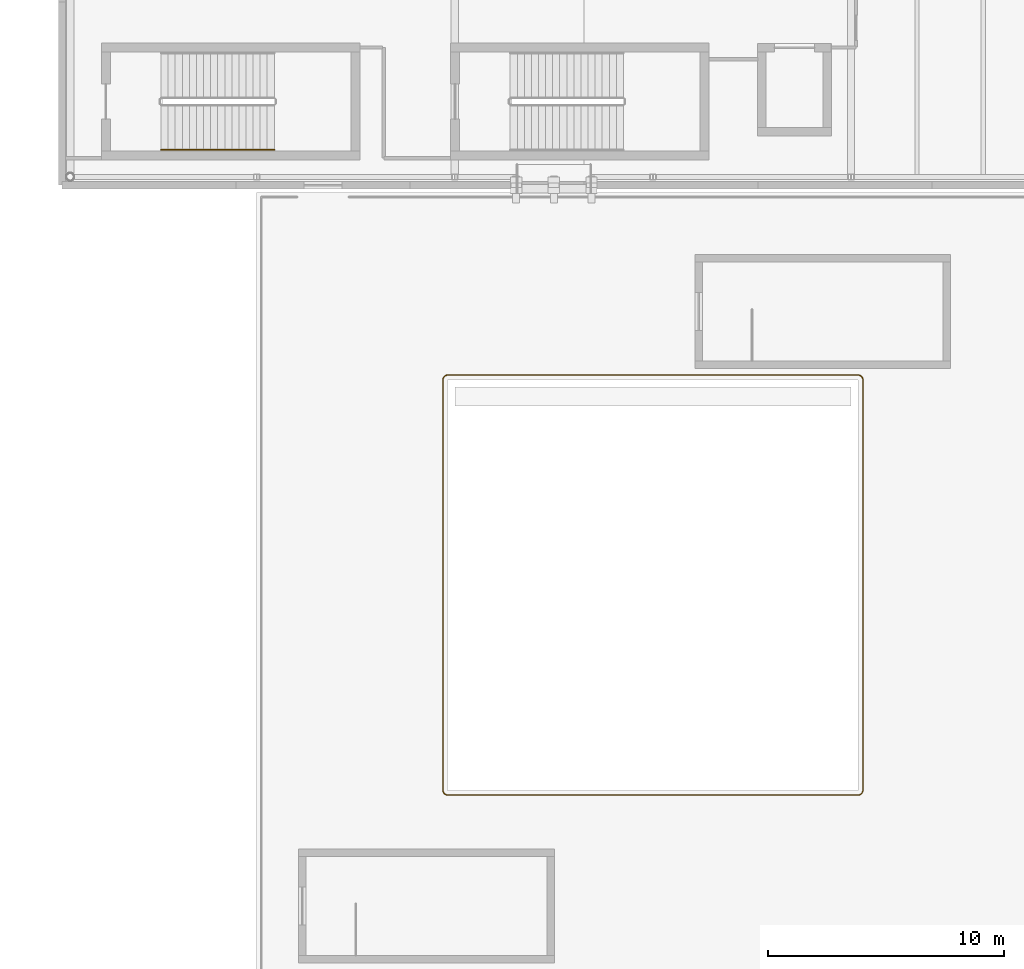
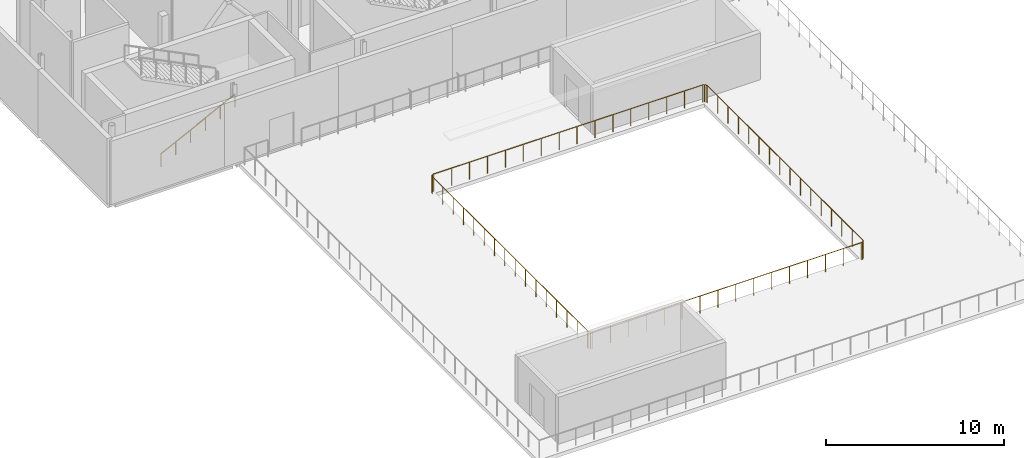
# One storey, part 54 of 57: 2 railings.
"""IFC4 building model written with IfcOpenShell, lengths in metres."""

from ifc_helpers import new_model, si_unit, direction, frame, origin, origin_2d, place, context, subcontext, project, spatial, circle, extrude, material, type_object, element, save


model = new_model("IFC4")

# Units and contexts
model_context = context("Model", 3, precision=1e-05, world=origin(), true_north=direction((0.0, 1.0)))
body_context = subcontext(model_context, "Body", "Model", "MODEL_VIEW")
ifc_project = project(units=[si_unit("LENGTHUNIT", "METRE"), si_unit("AREAUNIT", "SQUARE_METRE"), si_unit("VOLUMEUNIT", "CUBIC_METRE"), si_unit("PLANEANGLEUNIT", "RADIAN"), si_unit("MASSUNIT", "GRAM", prefix="KILO"), si_unit("THERMODYNAMICTEMPERATUREUNIT", "KELVIN")], contexts=[model_context])

# Site, building, storey
site_placement = place(None, origin())
site = spatial("IfcSite", under=ifc_project, at=site_placement, CompositionType="ELEMENT")
building_placement = place(site_placement, origin())
building = spatial("IfcBuilding", under=site, at=building_placement, Name="Lustrewick Department Store", CompositionType="ELEMENT")
storey_placement = place(building_placement, frame((0.0, 0.0, 26.699951171875)))
storey = spatial("IfcBuildingStorey", under=building, at=storey_placement, Name="L06", CompositionType="ELEMENT", Elevation=26.699951171875)

# Railings
ifc_material_1 = material(Name="Laminated glass and anodized aluminium guardrail", Category="aluminium")
railing_type_1 = type_object("IfcRailingType", Name="RL-EXT", PredefinedType="GUARDRAIL", material=ifc_material_1)
railing_1_placement = place(storey_placement, frame((143.300048828125, 42.300048828125, 0.0)))
element("IfcRailing", 1, at=railing_1_placement, inside=storey, type_object=railing_type_1, Name="L06 Terrace Perimeter Guardrail 0011", PredefinedType="GUARDRAIL", context=body_context, shape_type="SweptSolid", body=[
    extrude(circle(Radius=0.02392578125, at=origin_2d()), frame((0.0, 0.0, 1.17578125), z_axis=(-0.049937616944, 0.998752338878, 0.0), x_axis=(-0.998752338878, -0.049937616944, 0.0)), (0.0, 0.0, 1.0), 0.01953125),
    extrude(circle(Radius=0.02392578125, at=origin_2d()), frame((-0.0009765625, 0.01953125, 1.17578125), z_axis=(-0.14834045293, 0.988936352868, 0.0), x_axis=(-0.988936352868, -0.14834045293, 0.0)), (0.0, 0.0, 1.0), 0.019775390625),
    extrude(circle(Radius=0.02392578125, at=origin_2d()), frame((-0.00390625, 0.0390625, 1.17578125), z_axis=(-0.236669416535, 0.971590236302, 0.0), x_axis=(-0.971590236302, -0.236669416535, 0.0)), (0.0, 0.0, 1.0), 0.01953125),
    extrude(circle(Radius=0.02392578125, at=origin_2d()), frame((-0.008544921875, 0.05810546875, 1.17578125), z_axis=(-0.338719468273, 0.940887411869, 0.0), x_axis=(-0.940887411869, -0.338719468273, 0.0)), (0.0, 0.0, 1.0), 0.01953125),
    extrude(circle(Radius=0.02392578125, at=origin_2d()), frame((-0.01513671875, 0.076416015625, 1.17578125), z_axis=(-0.432329455405, 0.901715721272, 0.0), x_axis=(-0.901715721272, -0.432329455405, 0.0)), (0.0, 0.0, 1.0), 0.019775390625),
    extrude(circle(Radius=0.02392578125, at=origin_2d()), frame((-0.023681640625, 0.09423828125, 1.17578125), z_axis=(-0.510826591194, 0.859683775425, 0.0), x_axis=(-0.859683775425, -0.510826591194, 0.0)), (0.0, 0.0, 1.0), 0.01953125),
    extrude(circle(Radius=0.02392578125, at=origin_2d()), frame((-0.03369140625, 0.111083984375, 1.17578125), z_axis=(-0.594043027909, 0.80443326696, 0.0), x_axis=(-0.80443326696, -0.594043027909, 0.0)), (0.0, 0.0, 1.0), 0.019775390625),
    extrude(circle(Radius=0.02392578125, at=origin_2d()), frame((-0.04541015625, 0.126953125, 1.17578125), z_axis=(-0.675158258765, 0.737672912354, 0.0), x_axis=(-0.737672912354, -0.675158258765, 0.0)), (0.0, 0.0, 1.0), 0.01953125),
    extrude(circle(Radius=0.02392578125, at=origin_2d()), frame((-0.05859375, 0.141357421875, 1.17578125), z_axis=(-0.743294146247, 0.668964731622, 0.0), x_axis=(-0.668964731622, -0.743294146247, 0.0)), (0.0, 0.0, 1.0), 0.019775390625),
    extrude(circle(Radius=0.02392578125, at=origin_2d()), frame((-0.0732421875, 0.154541015625, 1.17578125), z_axis=(-0.8, 0.6, 0.0), x_axis=(-0.6, -0.8, 0.0)), (0.0, 0.0, 1.0), 0.01953125),
    extrude(circle(Radius=0.02392578125, at=origin_2d()), frame((-0.0888671875, 0.166259765625, 1.17578125), z_axis=(-0.859683775425, 0.510826591194, 0.0), x_axis=(-0.510826591194, -0.859683775425, 0.0)), (0.0, 0.0, 1.0), 0.01953125),
    extrude(circle(Radius=0.02392578125, at=origin_2d()), frame((-0.105712890625, 0.17626953125, 1.17578125), z_axis=(-0.901715721272, 0.432329455405, 0.0), x_axis=(-0.432329455405, -0.901715721272, 0.0)), (0.0, 0.0, 1.0), 0.019775390625),
    extrude(circle(Radius=0.02392578125, at=origin_2d()), frame((-0.12353515625, 0.184814453125, 1.17578125), z_axis=(-0.940887411869, 0.338719468273, 0.0), x_axis=(-0.338719468273, -0.940887411869, 0.0)), (0.0, 0.0, 1.0), 0.01953125),
    extrude(circle(Radius=0.02392578125, at=origin_2d()), frame((-0.141845703125, 0.19140625, 1.17578125), z_axis=(-0.972275475429, 0.233838405483, 0.0), x_axis=(-0.233838405483, -0.972275475429, 0.0)), (0.0, 0.0, 1.0), 0.019775390625),
    extrude(circle(Radius=0.02392578125, at=origin_2d()), frame((-0.1611328125, 0.196044921875, 1.17578125), z_axis=(-0.988659264731, 0.150176090845, 0.0), x_axis=(-0.150176090845, -0.988659264731, 0.0)), (0.0, 0.0, 1.0), 0.01953125),
    extrude(circle(Radius=0.02392578125, at=origin_2d()), frame((-0.180419921875, 0.198974609375, 1.17578125), z_axis=(-0.998752338878, 0.049937616944, 0.0), x_axis=(-0.049937616944, -0.998752338878, 0.0)), (0.0, 0.0, 1.0), 0.01953125),
    extrude(circle(Radius=0.02392578125, at=origin_2d()), frame((-0.199951171875, 0.199951171875, 1.17578125), z_axis=(-1.0, 0.0, 0.0), x_axis=(0.0, -1.0, 0.0)), (0.0, 0.0, 1.0), 17.400146484375),
    extrude(circle(Radius=0.02392578125, at=origin_2d()), frame((-17.60009765625, 0.199951171875, 1.17578125), z_axis=(-0.998752338878, -0.049937616944, 0.0), x_axis=(0.049937616944, -0.998752338878, 0.0)), (0.0, 0.0, 1.0), 0.01953125),
    extrude(circle(Radius=0.02392578125, at=origin_2d()), frame((-17.61962890625, 0.198974609375, 1.17578125), z_axis=(-0.988936352868, -0.14834045293, 0.0), x_axis=(0.14834045293, -0.988936352868, 0.0)), (0.0, 0.0, 1.0), 0.019775390625),
    extrude(circle(Radius=0.02392578125, at=origin_2d()), frame((-17.63916015625, 0.196044921875, 1.17578125), z_axis=(-0.971590236302, -0.236669416535, 0.0), x_axis=(0.236669416535, -0.971590236302, 0.0)), (0.0, 0.0, 1.0), 0.01953125),
    extrude(circle(Radius=0.02392578125, at=origin_2d()), frame((-17.658203125, 0.19140625, 1.17578125), z_axis=(-0.940887411869, -0.338719468273, 0.0), x_axis=(0.338719468273, -0.940887411869, 0.0)), (0.0, 0.0, 1.0), 0.01953125),
    extrude(circle(Radius=0.02392578125, at=origin_2d()), frame((-17.676513671875, 0.184814453125, 1.17578125), z_axis=(-0.901715721272, -0.432329455405, 0.0), x_axis=(0.432329455405, -0.901715721272, 0.0)), (0.0, 0.0, 1.0), 0.019775390625),
    extrude(circle(Radius=0.02392578125, at=origin_2d()), frame((-17.6943359375, 0.17626953125, 1.17578125), z_axis=(-0.859683775425, -0.510826591194, 0.0), x_axis=(0.510826591194, -0.859683775425, 0.0)), (0.0, 0.0, 1.0), 0.01953125),
    extrude(circle(Radius=0.02392578125, at=origin_2d()), frame((-17.711181640625, 0.166259765625, 1.17578125), z_axis=(-0.80443326696, -0.594043027909, 0.0), x_axis=(0.594043027909, -0.80443326696, 0.0)), (0.0, 0.0, 1.0), 0.019775390625),
    extrude(circle(Radius=0.02392578125, at=origin_2d()), frame((-17.72705078125, 0.154541015625, 1.17578125), z_axis=(-0.737672912354, -0.675158258765, 0.0), x_axis=(0.675158258765, -0.737672912354, 0.0)), (0.0, 0.0, 1.0), 0.01953125),
    extrude(circle(Radius=0.02392578125, at=origin_2d()), frame((-17.741455078125, 0.141357421875, 1.17578125), z_axis=(-0.675158258765, -0.737672912354, 0.0), x_axis=(0.737672912354, -0.675158258765, 0.0)), (0.0, 0.0, 1.0), 0.01953125),
    extrude(circle(Radius=0.02392578125, at=origin_2d()), frame((-17.754638671875, 0.126953125, 1.17578125), z_axis=(-0.594043027909, -0.80443326696, 0.0), x_axis=(0.80443326696, -0.594043027909, 0.0)), (0.0, 0.0, 1.0), 0.019775390625),
    extrude(circle(Radius=0.02392578125, at=origin_2d()), frame((-17.766357421875, 0.111083984375, 1.17578125), z_axis=(-0.510826591194, -0.859683775425, 0.0), x_axis=(0.859683775425, -0.510826591194, 0.0)), (0.0, 0.0, 1.0), 0.01953125),
    extrude(circle(Radius=0.02392578125, at=origin_2d()), frame((-17.7763671875, 0.09423828125, 1.17578125), z_axis=(-0.432329455405, -0.901715721272, 0.0), x_axis=(0.901715721272, -0.432329455405, 0.0)), (0.0, 0.0, 1.0), 0.019775390625),
    extrude(circle(Radius=0.02392578125, at=origin_2d()), frame((-17.784912109375, 0.076416015625, 1.17578125), z_axis=(-0.338719468273, -0.940887411869, 0.0), x_axis=(0.940887411869, -0.338719468273, 0.0)), (0.0, 0.0, 1.0), 0.01953125),
    extrude(circle(Radius=0.02392578125, at=origin_2d()), frame((-17.79150390625, 0.05810546875, 1.17578125), z_axis=(-0.236669416535, -0.971590236302, 0.0), x_axis=(0.971590236302, -0.236669416535, 0.0)), (0.0, 0.0, 1.0), 0.01953125),
    extrude(circle(Radius=0.02392578125, at=origin_2d()), frame((-17.796142578125, 0.0390625, 1.17578125), z_axis=(-0.14834045293, -0.988936352868, 0.0), x_axis=(0.988936352868, -0.14834045293, 0.0)), (0.0, 0.0, 1.0), 0.019775390625),
    extrude(circle(Radius=0.02392578125, at=origin_2d()), frame((-17.799072265625, 0.01953125, 1.17578125), z_axis=(-0.049937616944, -0.998752338878, 0.0), x_axis=(0.998752338878, -0.049937616944, 0.0)), (0.0, 0.0, 1.0), 0.01953125),
    extrude(circle(Radius=0.02392578125, at=origin_2d()), frame((-17.800048828125, 0.0, 1.17578125), z_axis=(0.0, -1.0, 0.0), x_axis=(1.0, 0.0, 0.0)), (0.0, 0.0, 1.0), 17.400146484375),
    extrude(circle(Radius=0.02392578125, at=origin_2d()), frame((-17.800048828125, -17.400146484375, 1.17578125), z_axis=(0.049937616944, -0.998752338878, 0.0), x_axis=(0.998752338878, 0.049937616944, 0.0)), (0.0, 0.0, 1.0), 0.01953125),
    extrude(circle(Radius=0.02392578125, at=origin_2d()), frame((-17.799072265625, -17.419677734375, 1.17578125), z_axis=(0.150176090845, -0.988659264731, 0.0), x_axis=(0.988659264731, 0.150176090845, 0.0)), (0.0, 0.0, 1.0), 0.01953125),
    extrude(circle(Radius=0.02392578125, at=origin_2d()), frame((-17.796142578125, -17.43896484375, 1.17578125), z_axis=(0.233838405483, -0.972275475429, 0.0), x_axis=(0.972275475429, 0.233838405483, 0.0)), (0.0, 0.0, 1.0), 0.019775390625),
    extrude(circle(Radius=0.02392578125, at=origin_2d()), frame((-17.79150390625, -17.458251953125, 1.17578125), z_axis=(0.338719468273, -0.940887411869, 0.0), x_axis=(0.940887411869, 0.338719468273, 0.0)), (0.0, 0.0, 1.0), 0.01953125),
    extrude(circle(Radius=0.02392578125, at=origin_2d()), frame((-17.784912109375, -17.4765625, 1.17578125), z_axis=(0.432329455405, -0.901715721272, 0.0), x_axis=(0.901715721272, 0.432329455405, 0.0)), (0.0, 0.0, 1.0), 0.019775390625),
    extrude(circle(Radius=0.02392578125, at=origin_2d()), frame((-17.7763671875, -17.494384765625, 1.17578125), z_axis=(0.510826591194, -0.859683775425, 0.0), x_axis=(0.859683775425, 0.510826591194, 0.0)), (0.0, 0.0, 1.0), 0.01953125),
    extrude(circle(Radius=0.02392578125, at=origin_2d()), frame((-17.766357421875, -17.51123046875, 1.17578125), z_axis=(0.6, -0.8, 0.0), x_axis=(0.8, 0.6, 0.0)), (0.0, 0.0, 1.0), 0.01953125),
    extrude(circle(Radius=0.02392578125, at=origin_2d()), frame((-17.754638671875, -17.52685546875, 1.17578125), z_axis=(0.668964731622, -0.743294146247, 0.0), x_axis=(0.743294146247, 0.668964731622, 0.0)), (0.0, 0.0, 1.0), 0.019775390625),
    extrude(circle(Radius=0.02392578125, at=origin_2d()), frame((-17.741455078125, -17.54150390625, 1.17578125), z_axis=(0.737672912354, -0.675158258765, 0.0), x_axis=(0.675158258765, 0.737672912354, 0.0)), (0.0, 0.0, 1.0), 0.01953125),
    extrude(circle(Radius=0.02392578125, at=origin_2d()), frame((-17.72705078125, -17.5546875, 1.17578125), z_axis=(0.80443326696, -0.594043027909, 0.0), x_axis=(0.594043027909, 0.80443326696, 0.0)), (0.0, 0.0, 1.0), 0.019775390625),
    extrude(circle(Radius=0.02392578125, at=origin_2d()), frame((-17.711181640625, -17.56640625, 1.17578125), z_axis=(0.859683775425, -0.510826591194, 0.0), x_axis=(0.510826591194, 0.859683775425, 0.0)), (0.0, 0.0, 1.0), 0.01953125),
    extrude(circle(Radius=0.02392578125, at=origin_2d()), frame((-17.6943359375, -17.576416015625, 1.17578125), z_axis=(0.901715721272, -0.432329455405, 0.0), x_axis=(0.432329455405, 0.901715721272, 0.0)), (0.0, 0.0, 1.0), 0.019775390625),
    extrude(circle(Radius=0.02392578125, at=origin_2d()), frame((-17.676513671875, -17.5849609375, 1.17578125), z_axis=(0.940887411869, -0.338719468273, 0.0), x_axis=(0.338719468273, 0.940887411869, 0.0)), (0.0, 0.0, 1.0), 0.01953125),
    extrude(circle(Radius=0.02392578125, at=origin_2d()), frame((-17.658203125, -17.591552734375, 1.17578125), z_axis=(0.971590236302, -0.236669416535, 0.0), x_axis=(0.236669416535, 0.971590236302, 0.0)), (0.0, 0.0, 1.0), 0.01953125),
    extrude(circle(Radius=0.02392578125, at=origin_2d()), frame((-17.63916015625, -17.59619140625, 1.17578125), z_axis=(0.988936352868, -0.14834045293, 0.0), x_axis=(0.14834045293, 0.988936352868, 0.0)), (0.0, 0.0, 1.0), 0.019775390625),
    extrude(circle(Radius=0.02392578125, at=origin_2d()), frame((-17.61962890625, -17.59912109375, 1.17578125), z_axis=(0.998752338878, -0.049937616944, 0.0), x_axis=(0.049937616944, 0.998752338878, 0.0)), (0.0, 0.0, 1.0), 0.01953125),
    extrude(circle(Radius=0.02392578125, at=origin_2d()), frame((-17.60009765625, -17.60009765625, 1.17578125), z_axis=(1.0, 0.0, 0.0), x_axis=(0.0, 1.0, 0.0)), (0.0, 0.0, 1.0), 17.400146484375),
    extrude(circle(Radius=0.02392578125, at=origin_2d()), frame((-0.199951171875, -17.60009765625, 1.17578125), z_axis=(0.998752338878, 0.049937616944, 0.0), x_axis=(-0.049937616944, 0.998752338878, 0.0)), (0.0, 0.0, 1.0), 0.01953125),
    extrude(circle(Radius=0.02392578125, at=origin_2d()), frame((-0.180419921875, -17.59912109375, 1.17578125), z_axis=(0.988659264731, 0.150176090845, 0.0), x_axis=(-0.150176090845, 0.988659264731, 0.0)), (0.0, 0.0, 1.0), 0.01953125),
    extrude(circle(Radius=0.02392578125, at=origin_2d()), frame((-0.1611328125, -17.59619140625, 1.17578125), z_axis=(0.972275475429, 0.233838405483, 0.0), x_axis=(-0.233838405483, 0.972275475429, 0.0)), (0.0, 0.0, 1.0), 0.019775390625),
    extrude(circle(Radius=0.02392578125, at=origin_2d()), frame((-0.141845703125, -17.591552734375, 1.17578125), z_axis=(0.940887411869, 0.338719468273, 0.0), x_axis=(-0.338719468273, 0.940887411869, 0.0)), (0.0, 0.0, 1.0), 0.01953125),
    extrude(circle(Radius=0.02392578125, at=origin_2d()), frame((-0.12353515625, -17.5849609375, 1.17578125), z_axis=(0.901715721272, 0.432329455405, 0.0), x_axis=(-0.432329455405, 0.901715721272, 0.0)), (0.0, 0.0, 1.0), 0.019775390625),
    extrude(circle(Radius=0.02392578125, at=origin_2d()), frame((-0.105712890625, -17.576416015625, 1.17578125), z_axis=(0.859683775425, 0.510826591194, 0.0), x_axis=(-0.510826591194, 0.859683775425, 0.0)), (0.0, 0.0, 1.0), 0.01953125),
    extrude(circle(Radius=0.02392578125, at=origin_2d()), frame((-0.0888671875, -17.56640625, 1.17578125), z_axis=(0.8, 0.6, 0.0), x_axis=(-0.6, 0.8, 0.0)), (0.0, 0.0, 1.0), 0.01953125),
    extrude(circle(Radius=0.02392578125, at=origin_2d()), frame((-0.0732421875, -17.5546875, 1.17578125), z_axis=(0.743294146247, 0.668964731622, 0.0), x_axis=(-0.668964731622, 0.743294146247, 0.0)), (0.0, 0.0, 1.0), 0.019775390625),
    extrude(circle(Radius=0.02392578125, at=origin_2d()), frame((-0.05859375, -17.54150390625, 1.17578125), z_axis=(0.668964731622, 0.743294146247, 0.0), x_axis=(-0.743294146247, 0.668964731622, 0.0)), (0.0, 0.0, 1.0), 0.019775390625),
    extrude(circle(Radius=0.02392578125, at=origin_2d()), frame((-0.04541015625, -17.52685546875, 1.17578125), z_axis=(0.6, 0.8, 0.0), x_axis=(-0.8, 0.6, 0.0)), (0.0, 0.0, 1.0), 0.01953125),
    extrude(circle(Radius=0.02392578125, at=origin_2d()), frame((-0.03369140625, -17.51123046875, 1.17578125), z_axis=(0.510826591194, 0.859683775425, 0.0), x_axis=(-0.859683775425, 0.510826591194, 0.0)), (0.0, 0.0, 1.0), 0.01953125),
    extrude(circle(Radius=0.02392578125, at=origin_2d()), frame((-0.023681640625, -17.494384765625, 1.17578125), z_axis=(0.432329455405, 0.901715721272, 0.0), x_axis=(-0.901715721272, 0.432329455405, 0.0)), (0.0, 0.0, 1.0), 0.019775390625),
    extrude(circle(Radius=0.02392578125, at=origin_2d()), frame((-0.01513671875, -17.4765625, 1.17578125), z_axis=(0.338719468273, 0.940887411869, 0.0), x_axis=(-0.940887411869, 0.338719468273, 0.0)), (0.0, 0.0, 1.0), 0.01953125),
    extrude(circle(Radius=0.02392578125, at=origin_2d()), frame((-0.008544921875, -17.458251953125, 1.17578125), z_axis=(0.233838405483, 0.972275475429, 0.0), x_axis=(-0.972275475429, 0.233838405483, 0.0)), (0.0, 0.0, 1.0), 0.019775390625),
    extrude(circle(Radius=0.02392578125, at=origin_2d()), frame((-0.00390625, -17.43896484375, 1.17578125), z_axis=(0.150176090845, 0.988659264731, 0.0), x_axis=(-0.988659264731, 0.150176090845, 0.0)), (0.0, 0.0, 1.0), 0.01953125),
    extrude(circle(Radius=0.02392578125, at=origin_2d()), frame((-0.0009765625, -17.419677734375, 1.17578125), z_axis=(0.049937616944, 0.998752338878, 0.0), x_axis=(-0.998752338878, 0.049937616944, 0.0)), (0.0, 0.0, 1.0), 0.01953125),
    extrude(circle(Radius=0.02392578125, at=origin_2d()), frame((0.0, -17.400146484375, 1.17578125), z_axis=(0.0, 1.0, 0.0), x_axis=(-1.0, 0.0, 0.0)), (0.0, 0.0, 1.0), 17.400146484375),
    extrude(circle(Radius=0.02099609375, at=origin_2d()), origin(), (0.0, 0.0, 1.0), 1.15185546875),
    extrude(circle(Radius=0.02099609375, at=origin_2d()), frame((-0.023681640625, 0.09423828125, 0.0)), (0.0, 0.0, 1.0), 1.15185546875),
    extrude(circle(Radius=0.02099609375, at=origin_2d()), frame((-0.0888671875, 0.166259765625, 0.0)), (0.0, 0.0, 1.0), 1.15185546875),
    extrude(circle(Radius=0.02099609375, at=origin_2d()), frame((-0.180419921875, 0.198974609375, 0.0)), (0.0, 0.0, 1.0), 1.15185546875),
    extrude(circle(Radius=0.02099609375, at=origin_2d()), frame((-1.35986328125, 0.199951171875, 0.0)), (0.0, 0.0, 1.0), 1.15185546875),
    extrude(circle(Radius=0.02099609375, at=origin_2d()), frame((-2.52001953125, 0.199951171875, 0.0)), (0.0, 0.0, 1.0), 1.15185546875),
    extrude(circle(Radius=0.02099609375, at=origin_2d()), frame((-3.679931640625, 0.199951171875, 0.0)), (0.0, 0.0, 1.0), 1.15185546875),
    extrude(circle(Radius=0.02099609375, at=origin_2d()), frame((-4.840087890625, 0.199951171875, 0.0)), (0.0, 0.0, 1.0), 1.15185546875),
    extrude(circle(Radius=0.02099609375, at=origin_2d()), frame((-6.0, 0.199951171875, 0.0)), (0.0, 0.0, 1.0), 1.15185546875),
    extrude(circle(Radius=0.02099609375, at=origin_2d()), frame((-7.159912109375, 0.199951171875, 0.0)), (0.0, 0.0, 1.0), 1.15185546875),
    extrude(circle(Radius=0.02099609375, at=origin_2d()), frame((-8.320068359375, 0.199951171875, 0.0)), (0.0, 0.0, 1.0), 1.15185546875),
    extrude(circle(Radius=0.02099609375, at=origin_2d()), frame((-9.47998046875, 0.199951171875, 0.0)), (0.0, 0.0, 1.0), 1.15185546875),
    extrude(circle(Radius=0.02099609375, at=origin_2d()), frame((-10.64013671875, 0.199951171875, 0.0)), (0.0, 0.0, 1.0), 1.15185546875),
    extrude(circle(Radius=0.02099609375, at=origin_2d()), frame((-11.800048828125, 0.199951171875, 0.0)), (0.0, 0.0, 1.0), 1.15185546875),
    extrude(circle(Radius=0.02099609375, at=origin_2d()), frame((-12.9599609375, 0.199951171875, 0.0)), (0.0, 0.0, 1.0), 1.15185546875),
    extrude(circle(Radius=0.02099609375, at=origin_2d()), frame((-14.1201171875, 0.199951171875, 0.0)), (0.0, 0.0, 1.0), 1.15185546875),
    extrude(circle(Radius=0.02099609375, at=origin_2d()), frame((-15.280029296875, 0.199951171875, 0.0)), (0.0, 0.0, 1.0), 1.15185546875),
    extrude(circle(Radius=0.02099609375, at=origin_2d()), frame((-16.440185546875, 0.199951171875, 0.0)), (0.0, 0.0, 1.0), 1.15185546875),
    extrude(circle(Radius=0.02099609375, at=origin_2d()), frame((-17.60009765625, 0.199951171875, 0.0)), (0.0, 0.0, 1.0), 1.15185546875),
    extrude(circle(Radius=0.02099609375, at=origin_2d()), frame((-17.6943359375, 0.17626953125, 0.0)), (0.0, 0.0, 1.0), 1.15185546875),
    extrude(circle(Radius=0.02099609375, at=origin_2d()), frame((-17.766357421875, 0.111083984375, 0.0)), (0.0, 0.0, 1.0), 1.15185546875),
    extrude(circle(Radius=0.02099609375, at=origin_2d()), frame((-17.799072265625, 0.01953125, 0.0)), (0.0, 0.0, 1.0), 1.15185546875),
    extrude(circle(Radius=0.02099609375, at=origin_2d()), frame((-17.800048828125, -1.159912109375, 0.0)), (0.0, 0.0, 1.0), 1.15185546875),
    extrude(circle(Radius=0.02099609375, at=origin_2d()), frame((-17.800048828125, -2.320068359375, 0.0)), (0.0, 0.0, 1.0), 1.15185546875),
    extrude(circle(Radius=0.02099609375, at=origin_2d()), frame((-17.800048828125, -3.47998046875, 0.0)), (0.0, 0.0, 1.0), 1.15185546875),
    extrude(circle(Radius=0.02099609375, at=origin_2d()), frame((-17.800048828125, -4.64013671875, 0.0)), (0.0, 0.0, 1.0), 1.15185546875),
    extrude(circle(Radius=0.02099609375, at=origin_2d()), frame((-17.800048828125, -5.800048828125, 0.0)), (0.0, 0.0, 1.0), 1.15185546875),
    extrude(circle(Radius=0.02099609375, at=origin_2d()), frame((-17.800048828125, -6.9599609375, 0.0)), (0.0, 0.0, 1.0), 1.15185546875),
    extrude(circle(Radius=0.02099609375, at=origin_2d()), frame((-17.800048828125, -8.1201171875, 0.0)), (0.0, 0.0, 1.0), 1.15185546875),
    extrude(circle(Radius=0.02099609375, at=origin_2d()), frame((-17.800048828125, -9.280029296875, 0.0)), (0.0, 0.0, 1.0), 1.15185546875),
    extrude(circle(Radius=0.02099609375, at=origin_2d()), frame((-17.800048828125, -10.440185546875, 0.0)), (0.0, 0.0, 1.0), 1.15185546875),
    extrude(circle(Radius=0.02099609375, at=origin_2d()), frame((-17.800048828125, -11.60009765625, 0.0)), (0.0, 0.0, 1.0), 1.15185546875),
    extrude(circle(Radius=0.02099609375, at=origin_2d()), frame((-17.800048828125, -12.760009765625, 0.0)), (0.0, 0.0, 1.0), 1.15185546875),
    extrude(circle(Radius=0.02099609375, at=origin_2d()), frame((-17.800048828125, -13.920166015625, 0.0)), (0.0, 0.0, 1.0), 1.15185546875),
    extrude(circle(Radius=0.02099609375, at=origin_2d()), frame((-17.800048828125, -15.080078125, 0.0)), (0.0, 0.0, 1.0), 1.15185546875),
    extrude(circle(Radius=0.02099609375, at=origin_2d()), frame((-17.800048828125, -16.240234375, 0.0)), (0.0, 0.0, 1.0), 1.15185546875),
    extrude(circle(Radius=0.02099609375, at=origin_2d()), frame((-17.800048828125, -17.400146484375, 0.0)), (0.0, 0.0, 1.0), 1.15185546875),
    extrude(circle(Radius=0.02099609375, at=origin_2d()), frame((-17.7763671875, -17.494384765625, 0.0)), (0.0, 0.0, 1.0), 1.15185546875),
    extrude(circle(Radius=0.02099609375, at=origin_2d()), frame((-17.711181640625, -17.56640625, 0.0)), (0.0, 0.0, 1.0), 1.15185546875),
    extrude(circle(Radius=0.02099609375, at=origin_2d()), frame((-17.61962890625, -17.59912109375, 0.0)), (0.0, 0.0, 1.0), 1.15185546875),
    extrude(circle(Radius=0.02099609375, at=origin_2d()), frame((-16.440185546875, -17.60009765625, 0.0)), (0.0, 0.0, 1.0), 1.15185546875),
    extrude(circle(Radius=0.02099609375, at=origin_2d()), frame((-15.280029296875, -17.60009765625, 0.0)), (0.0, 0.0, 1.0), 1.15185546875),
    extrude(circle(Radius=0.02099609375, at=origin_2d()), frame((-14.1201171875, -17.60009765625, 0.0)), (0.0, 0.0, 1.0), 1.15185546875),
    extrude(circle(Radius=0.02099609375, at=origin_2d()), frame((-12.9599609375, -17.60009765625, 0.0)), (0.0, 0.0, 1.0), 1.15185546875),
    extrude(circle(Radius=0.02099609375, at=origin_2d()), frame((-11.800048828125, -17.60009765625, 0.0)), (0.0, 0.0, 1.0), 1.15185546875),
    extrude(circle(Radius=0.02099609375, at=origin_2d()), frame((-10.64013671875, -17.60009765625, 0.0)), (0.0, 0.0, 1.0), 1.15185546875),
    extrude(circle(Radius=0.02099609375, at=origin_2d()), frame((-9.47998046875, -17.60009765625, 0.0)), (0.0, 0.0, 1.0), 1.15185546875),
    extrude(circle(Radius=0.02099609375, at=origin_2d()), frame((-8.320068359375, -17.60009765625, 0.0)), (0.0, 0.0, 1.0), 1.15185546875),
    extrude(circle(Radius=0.02099609375, at=origin_2d()), frame((-7.159912109375, -17.60009765625, 0.0)), (0.0, 0.0, 1.0), 1.15185546875),
    extrude(circle(Radius=0.02099609375, at=origin_2d()), frame((-6.0, -17.60009765625, 0.0)), (0.0, 0.0, 1.0), 1.15185546875),
    extrude(circle(Radius=0.02099609375, at=origin_2d()), frame((-4.840087890625, -17.60009765625, 0.0)), (0.0, 0.0, 1.0), 1.15185546875),
    extrude(circle(Radius=0.02099609375, at=origin_2d()), frame((-3.679931640625, -17.60009765625, 0.0)), (0.0, 0.0, 1.0), 1.15185546875),
    extrude(circle(Radius=0.02099609375, at=origin_2d()), frame((-2.52001953125, -17.60009765625, 0.0)), (0.0, 0.0, 1.0), 1.15185546875),
    extrude(circle(Radius=0.02099609375, at=origin_2d()), frame((-1.35986328125, -17.60009765625, 0.0)), (0.0, 0.0, 1.0), 1.15185546875),
    extrude(circle(Radius=0.02099609375, at=origin_2d()), frame((-0.199951171875, -17.60009765625, 0.0)), (0.0, 0.0, 1.0), 1.15185546875),
    extrude(circle(Radius=0.02099609375, at=origin_2d()), frame((-0.105712890625, -17.576416015625, 0.0)), (0.0, 0.0, 1.0), 1.15185546875),
    extrude(circle(Radius=0.02099609375, at=origin_2d()), frame((-0.03369140625, -17.51123046875, 0.0)), (0.0, 0.0, 1.0), 1.15185546875),
    extrude(circle(Radius=0.02099609375, at=origin_2d()), frame((-0.0009765625, -17.419677734375, 0.0)), (0.0, 0.0, 1.0), 1.15185546875),
    extrude(circle(Radius=0.02099609375, at=origin_2d()), frame((0.0, -16.240234375, 0.0)), (0.0, 0.0, 1.0), 1.15185546875),
    extrude(circle(Radius=0.02099609375, at=origin_2d()), frame((0.0, -15.080078125, 0.0)), (0.0, 0.0, 1.0), 1.15185546875),
    extrude(circle(Radius=0.02099609375, at=origin_2d()), frame((0.0, -13.920166015625, 0.0)), (0.0, 0.0, 1.0), 1.15185546875),
    extrude(circle(Radius=0.02099609375, at=origin_2d()), frame((0.0, -12.760009765625, 0.0)), (0.0, 0.0, 1.0), 1.15185546875),
    extrude(circle(Radius=0.02099609375, at=origin_2d()), frame((0.0, -11.60009765625, 0.0)), (0.0, 0.0, 1.0), 1.15185546875),
    extrude(circle(Radius=0.02099609375, at=origin_2d()), frame((0.0, -10.440185546875, 0.0)), (0.0, 0.0, 1.0), 1.15185546875),
    extrude(circle(Radius=0.02099609375, at=origin_2d()), frame((0.0, -9.280029296875, 0.0)), (0.0, 0.0, 1.0), 1.15185546875),
    extrude(circle(Radius=0.02099609375, at=origin_2d()), frame((0.0, -8.1201171875, 0.0)), (0.0, 0.0, 1.0), 1.15185546875),
    extrude(circle(Radius=0.02099609375, at=origin_2d()), frame((0.0, -6.9599609375, 0.0)), (0.0, 0.0, 1.0), 1.15185546875),
    extrude(circle(Radius=0.02099609375, at=origin_2d()), frame((0.0, -5.800048828125, 0.0)), (0.0, 0.0, 1.0), 1.15185546875),
    extrude(circle(Radius=0.02099609375, at=origin_2d()), frame((0.0, -4.64013671875, 0.0)), (0.0, 0.0, 1.0), 1.15185546875),
    extrude(circle(Radius=0.02099609375, at=origin_2d()), frame((0.0, -3.47998046875, 0.0)), (0.0, 0.0, 1.0), 1.15185546875),
    extrude(circle(Radius=0.02099609375, at=origin_2d()), frame((0.0, -2.320068359375, 0.0)), (0.0, 0.0, 1.0), 1.15185546875),
    extrude(circle(Radius=0.02099609375, at=origin_2d()), frame((0.0, -1.159912109375, 0.0)), (0.0, 0.0, 1.0), 1.15185546875),
])
ifc_material_2 = material(Name="Brushed stainless steel wall handrail", Category="steel")
railing_type_2 = type_object("IfcRailingType", Name="RL-STH", PredefinedType="HANDRAIL", material=ifc_material_2)
railing_2_placement = place(storey_placement, frame((113.550048828125, 52.050048828125, 0.150146484375)))
element("IfcRailing", 2, at=railing_2_placement, inside=storey, type_object=railing_type_2, Name="L06 ST09 Stair Handrail 1", PredefinedType="HANDRAIL", context=body_context, shape_type="SweptSolid", body=[
    extrude(circle(Radius=0.02392578125, at=origin_2d()), frame((0.0, 0.0, 0.8759765625), z_axis=(0.894436289399, 0.0, 0.44719539824), x_axis=(0.0, 1.0, 0.0)), (0.0, 0.0, 1.0), 5.366455078125),
    extrude(circle(Radius=0.02099609375, at=origin_2d()), origin(), (0.0, 0.0, 1.0), 0.851806640625),
    extrude(circle(Radius=0.02099609375, at=origin_2d()), frame((0.9599609375, 0.0, 0.47998046875)), (0.0, 0.0, 1.0), 0.851806640625),
    extrude(circle(Radius=0.02099609375, at=origin_2d()), frame((1.919921875, 0.0, 0.9599609375)), (0.0, 0.0, 1.0), 0.851806640625),
    extrude(circle(Radius=0.02099609375, at=origin_2d()), frame((2.880126953125, 0.0, 1.43994140625)), (0.0, 0.0, 1.0), 0.851806640625),
    extrude(circle(Radius=0.02099609375, at=origin_2d()), frame((3.840087890625, 0.0, 1.919921875)), (0.0, 0.0, 1.0), 0.851806640625),
    extrude(circle(Radius=0.02099609375, at=origin_2d()), frame((4.800048828125, 0.0, 2.39990234375)), (0.0, 0.0, 1.0), 0.851806640625),
])

save(model, "model.ifc")
